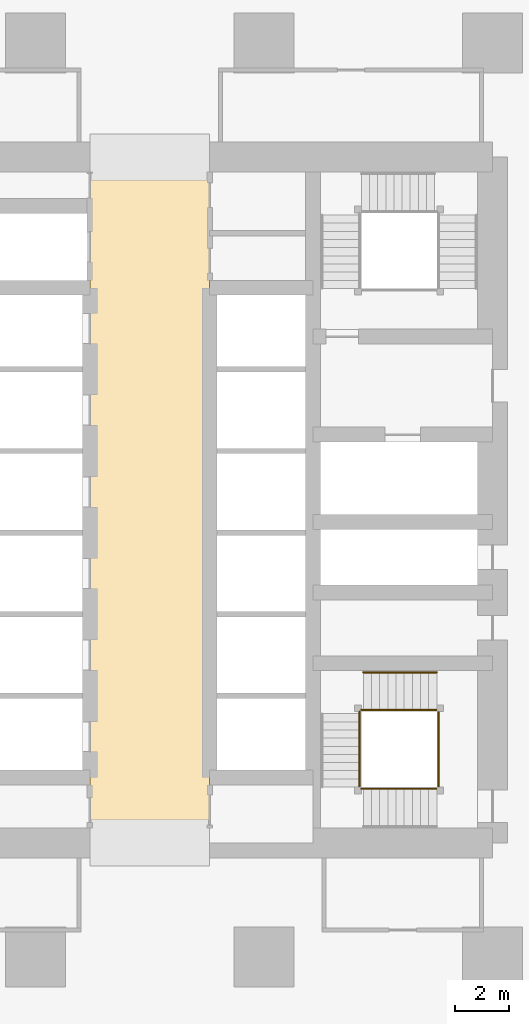
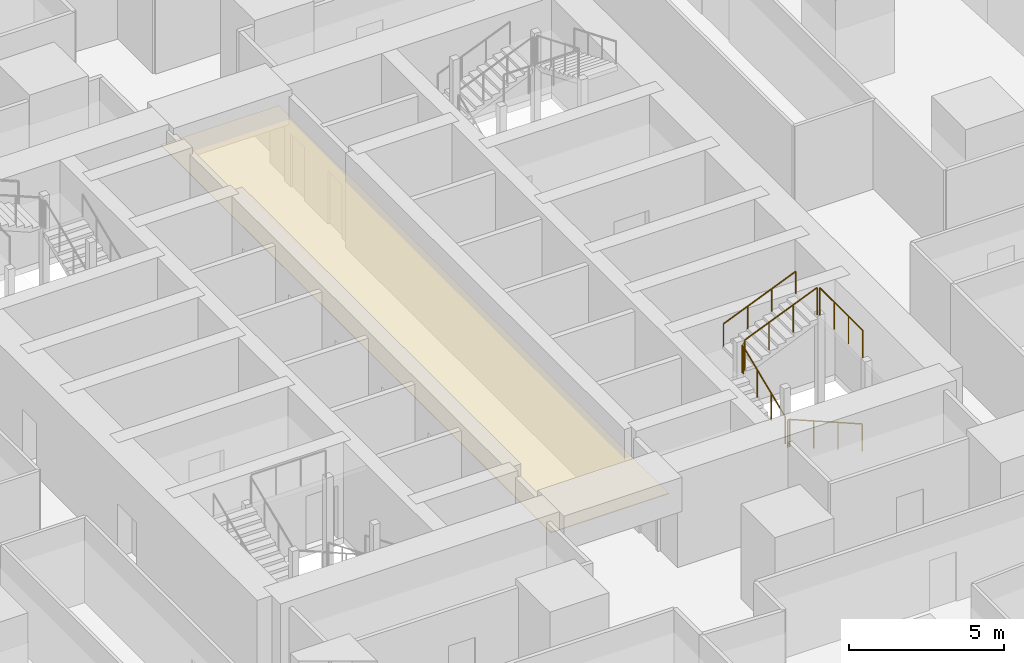
# One storey, part 39 of 44: 8 railings, 1 covering.
"""IFC4 building model written with IfcOpenShell, lengths in metres."""

from ifc_helpers import new_model, si_unit, direction, frame, origin, origin_2d, place, context, subcontext, project, spatial, polyline, circle, outline, extrude, material, layer, layer_set, type_object, element, save


model = new_model("IFC4")

# Units and contexts
model_context = context("Model", 3, precision=1e-05, world=origin(), true_north=direction((0.0, 1.0)))
body_context = subcontext(model_context, "Body", "Model", "MODEL_VIEW")
ifc_project = project(units=[si_unit("LENGTHUNIT", "METRE"), si_unit("AREAUNIT", "SQUARE_METRE"), si_unit("VOLUMEUNIT", "CUBIC_METRE"), si_unit("PLANEANGLEUNIT", "RADIAN"), si_unit("MASSUNIT", "GRAM", prefix="KILO")], contexts=[model_context])

# Site, building, storey
site_placement = place(None, origin())
site = spatial("IfcSite", under=ifc_project, at=site_placement, CompositionType="ELEMENT")
building_placement = place(site_placement, origin())
building = spatial("IfcBuilding", under=site, at=building_placement, Name="Rekha Terrace Tower", CompositionType="ELEMENT")
storey_placement = place(building_placement, frame((0.0, 0.0, 51.64990234375)))
storey = spatial("IfcBuildingStorey", under=building, at=storey_placement, Name="L12", CompositionType="ELEMENT", Elevation=51.64990234375)

# Covering
ifc_material_1 = material(Name="Powder-coated aluminium pan", Category="aluminium")
ifc_layer = layer(ifc_material_1, 0.030029296875)
ifc_layer_set = layer_set([ifc_layer], Name="Powder-coated aluminium pan")
covering_type = type_object("IfcCoveringType", Name="CL3 300x1200 metal pan ceiling", PredefinedType="CEILING", material=ifc_layer_set)
covering_placement = place(storey_placement, frame((0.0, 0.0, 2.570068359375)))
element("IfcCovering", 1, at=covering_placement, inside=storey, type_object=covering_type, Name="Ceiling L12-LOBBY", PredefinedType="CEILING", context=body_context, shape_type="SweptSolid", body=[
    extrude(outline(polyline([(40.0, 46.199951171875), (35.60009765625, 46.199951171875), (35.60009765625, 21.0), (40.0, 21.0), (40.0, 46.199951171875)])), origin(), (0.0, 0.0, 1.0), 0.030029296875),
])

# Railings
ifc_material_2 = material(Name="Stainless steel balustrade", Category="steel")
railing_type_1 = type_object("IfcRailingType", Name="GR1 1100 stair guard", PredefinedType="GUARDRAIL", material=ifc_material_2)
railing_1_placement = place(storey_placement, frame((48.35009765625, 22.989990234375, 0.125)))
element("IfcRailing", 2, at=railing_1_placement, inside=storey, type_object=railing_type_1, Name="Guard ST3 L12 flight 1", PredefinedType="GUARDRAIL", context=body_context, shape_type="SweptSolid", body=[
    extrude(circle(Radius=0.02392578125, at=origin_2d()), frame((0.0, 0.0, 1.076171875), z_axis=(-0.923086799901, 0.0, 0.38459167938), x_axis=(0.0, -1.0, 0.0)), (0.0, 0.0, 1.0), 2.92529296875),
    extrude(circle(Radius=0.02099609375, at=origin_2d()), origin(), (0.0, 0.0, 1.0), 1.052001953125),
    extrude(circle(Radius=0.02099609375, at=origin_2d()), frame((-0.900146484375, 0.0, 0.375)), (0.0, 0.0, 1.0), 1.052001953125),
    extrude(circle(Radius=0.02099609375, at=origin_2d()), frame((-1.800048828125, 0.0, 0.75)), (0.0, 0.0, 1.0), 1.052001953125),
    extrude(circle(Radius=0.02099609375, at=origin_2d()), frame((-2.7001953125, 0.0, 1.125)), (0.0, 0.0, 1.0), 1.052001953125),
])
railing_2_placement = place(storey_placement, frame((45.514892578125, 23.050048828125, 1.375)))
element("IfcRailing", 3, at=railing_2_placement, inside=storey, type_object=railing_type_1, Name="Guard ST3 L12 flight 2", PredefinedType="GUARDRAIL", context=body_context, shape_type="SweptSolid", body=[
    extrude(circle(Radius=0.02392578125, at=origin_2d()), frame((0.0, 0.0, 1.076171875), z_axis=(0.0, 0.923074453586, 0.384621311341), x_axis=(-1.0, 0.0, 0.0)), (0.0, 0.0, 1.0), 2.925048828125),
    extrude(circle(Radius=0.02099609375, at=origin_2d()), origin(), (0.0, 0.0, 1.0), 1.052001953125),
    extrude(circle(Radius=0.02099609375, at=origin_2d()), frame((0.0, 0.89990234375, 0.375)), (0.0, 0.0, 1.0), 1.052001953125),
    extrude(circle(Radius=0.02099609375, at=origin_2d()), frame((0.0, 1.800048828125, 0.75)), (0.0, 0.0, 1.0), 1.052001953125),
    extrude(circle(Radius=0.02099609375, at=origin_2d()), frame((0.0, 2.699951171875, 1.125)), (0.0, 0.0, 1.0), 1.052001953125),
])
railing_3_placement = place(storey_placement, frame((45.64990234375, 25.885009765625, 2.625)))
element("IfcRailing", 4, at=railing_3_placement, inside=storey, type_object=railing_type_1, Name="Guard ST3 L12 flight 3", PredefinedType="GUARDRAIL", context=body_context, shape_type="SweptSolid", body=[
    extrude(circle(Radius=0.02392578125, at=origin_2d()), frame((0.0, 0.0, 1.076171875), z_axis=(0.923086799901, 0.0, 0.38459167938), x_axis=(0.0, 1.0, 0.0)), (0.0, 0.0, 1.0), 2.92529296875),
    extrude(circle(Radius=0.02099609375, at=origin_2d()), origin(), (0.0, 0.0, 1.0), 1.052001953125),
    extrude(circle(Radius=0.02099609375, at=origin_2d()), frame((0.900146484375, 0.0, 0.375)), (0.0, 0.0, 1.0), 1.052001953125),
    extrude(circle(Radius=0.02099609375, at=origin_2d()), frame((1.800048828125, 0.0, 0.75)), (0.0, 0.0, 1.0), 1.052001953125),
    extrude(circle(Radius=0.02099609375, at=origin_2d()), frame((2.7001953125, 0.0, 1.125)), (0.0, 0.0, 1.0), 1.052001953125),
])
railing_4_placement = place(storey_placement, frame((45.64990234375, 22.989990234375, 1.25)))
element("IfcRailing", 5, at=railing_4_placement, inside=storey, type_object=railing_type_1, Name="Guard ST3 L12 landing 1", PredefinedType="GUARDRAIL", context=body_context, shape_type="SweptSolid", body=[
    extrude(circle(Radius=0.02392578125, at=origin_2d()), frame((0.0, 0.0, 1.076171875), z_axis=(-1.0, 0.0, 0.0), x_axis=(0.0, -1.0, 0.0)), (0.0, 0.0, 1.0), 0.074951171875),
    extrude(circle(Radius=0.02099609375, at=origin_2d()), origin(), (0.0, 0.0, 1.0), 1.052001953125),
    extrude(circle(Radius=0.02099609375, at=origin_2d()), frame((-0.074951171875, 0.0, 0.0)), (0.0, 0.0, 1.0), 1.052001953125),
])
railing_5_placement = place(storey_placement, frame((45.514892578125, 25.75, 2.5)))
element("IfcRailing", 6, at=railing_5_placement, inside=storey, type_object=railing_type_1, Name="Guard ST3 L12 landing 2", PredefinedType="GUARDRAIL", context=body_context, shape_type="SweptSolid", body=[
    extrude(circle(Radius=0.02392578125, at=origin_2d()), frame((0.0, 0.0, 1.076171875), z_axis=(0.0, 1.0, 0.0), x_axis=(-1.0, 0.0, 0.0)), (0.0, 0.0, 1.0), 0.074951171875),
    extrude(circle(Radius=0.02099609375, at=origin_2d()), origin(), (0.0, 0.0, 1.0), 1.052001953125),
    extrude(circle(Radius=0.02099609375, at=origin_2d()), frame((0.0, 0.074951171875, 0.0)), (0.0, 0.0, 1.0), 1.052001953125),
])
railing_6_placement = place(storey_placement, frame((45.64990234375, 25.885009765625, 2.5)))
element("IfcRailing", 7, at=railing_6_placement, inside=storey, type_object=railing_type_1, Name="Guard ST3 L12 landing 3", PredefinedType="GUARDRAIL", context=body_context, shape_type="SweptSolid", body=[
    extrude(circle(Radius=0.02392578125, at=origin_2d()), frame((0.0, 0.0, 1.076171875), z_axis=(-1.0, 0.0, 0.0), x_axis=(0.0, -1.0, 0.0)), (0.0, 0.0, 1.0), 0.074951171875),
    extrude(circle(Radius=0.02099609375, at=origin_2d()), origin(), (0.0, 0.0, 1.0), 1.052001953125),
    extrude(circle(Radius=0.02099609375, at=origin_2d()), frame((-0.074951171875, 0.0, 0.0)), (0.0, 0.0, 1.0), 1.052001953125),
])
railing_7_placement = place(storey_placement, frame((48.409912109375, 23.050048828125, 3.75)))
element("IfcRailing", 8, at=railing_7_placement, inside=storey, type_object=railing_type_1, Name="Guard ST3 L12 landing 4", PredefinedType="GUARDRAIL", context=body_context, shape_type="SweptSolid", body=[
    extrude(circle(Radius=0.02392578125, at=origin_2d()), frame((0.0, 0.0, 1.076171875), z_axis=(0.0, 1.0, 0.0), x_axis=(-1.0, 0.0, 0.0)), (0.0, 0.0, 1.0), 2.77490234375),
    extrude(circle(Radius=0.02099609375, at=origin_2d()), origin(), (0.0, 0.0, 1.0), 1.052001953125),
    extrude(circle(Radius=0.02099609375, at=origin_2d()), frame((0.0, 0.925048828125, 0.0)), (0.0, 0.0, 1.0), 1.052001953125),
    extrude(circle(Radius=0.02099609375, at=origin_2d()), frame((0.0, 1.849853515625, 0.0)), (0.0, 0.0, 1.0), 1.052001953125),
    extrude(circle(Radius=0.02099609375, at=origin_2d()), frame((0.0, 2.77490234375, 0.0)), (0.0, 0.0, 1.0), 1.052001953125),
])
ifc_material_3 = material(Name="Stainless steel tube", Category="steel")
railing_type_2 = type_object("IfcRailingType", Name="HR1 900 stair handrail", PredefinedType="HANDRAIL", material=ifc_material_3)
railing_8_placement = place(storey_placement, frame((45.64990234375, 27.264892578125, 2.625)))
element("IfcRailing", 9, at=railing_8_placement, inside=storey, type_object=railing_type_2, Name="Handrail ST3 L12 flight 3", PredefinedType="HANDRAIL", context=body_context, shape_type="SweptSolid", body=[
    extrude(circle(Radius=0.02392578125, at=origin_2d()), frame((0.0, 0.0, 0.8759765625), z_axis=(0.923086799901, 0.0, 0.38459167938), x_axis=(0.0, 1.0, 0.0)), (0.0, 0.0, 1.0), 2.92529296875),
    extrude(circle(Radius=0.02099609375, at=origin_2d()), origin(), (0.0, 0.0, 1.0), 0.851806640625),
    extrude(circle(Radius=0.02099609375, at=origin_2d()), frame((0.900146484375, 0.0, 0.375)), (0.0, 0.0, 1.0), 0.851806640625),
    extrude(circle(Radius=0.02099609375, at=origin_2d()), frame((1.800048828125, 0.0, 0.75)), (0.0, 0.0, 1.0), 0.851806640625),
    extrude(circle(Radius=0.02099609375, at=origin_2d()), frame((2.7001953125, 0.0, 1.125)), (0.0, 0.0, 1.0), 0.851806640625),
])

save(model, "model.ifc")
